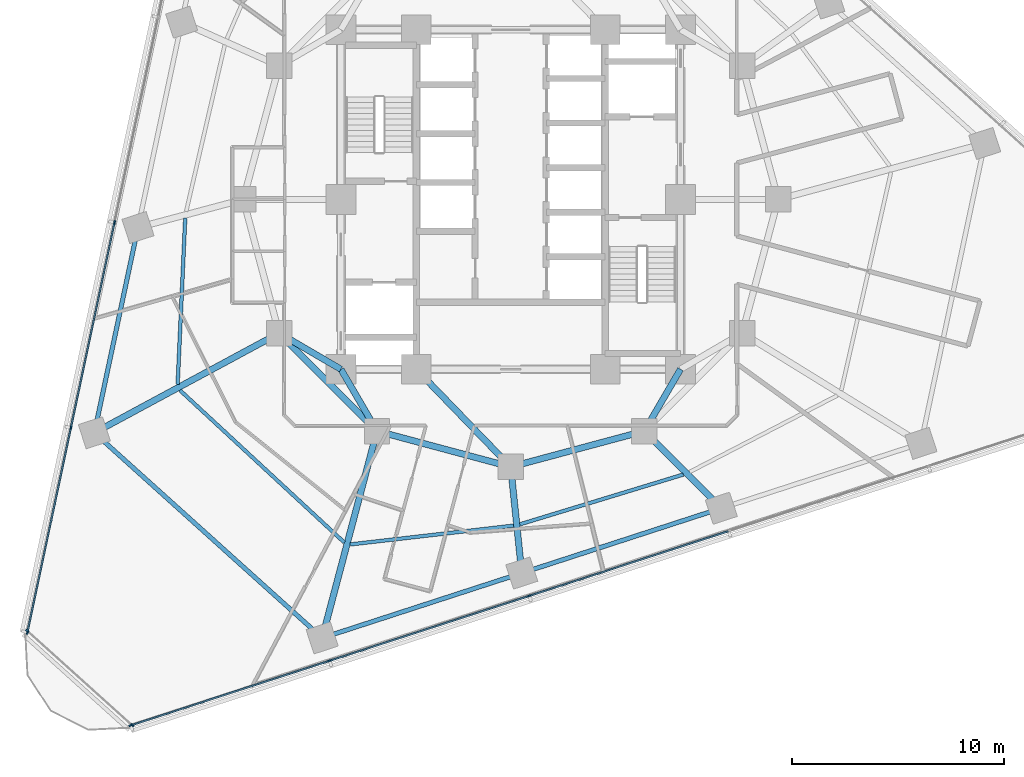
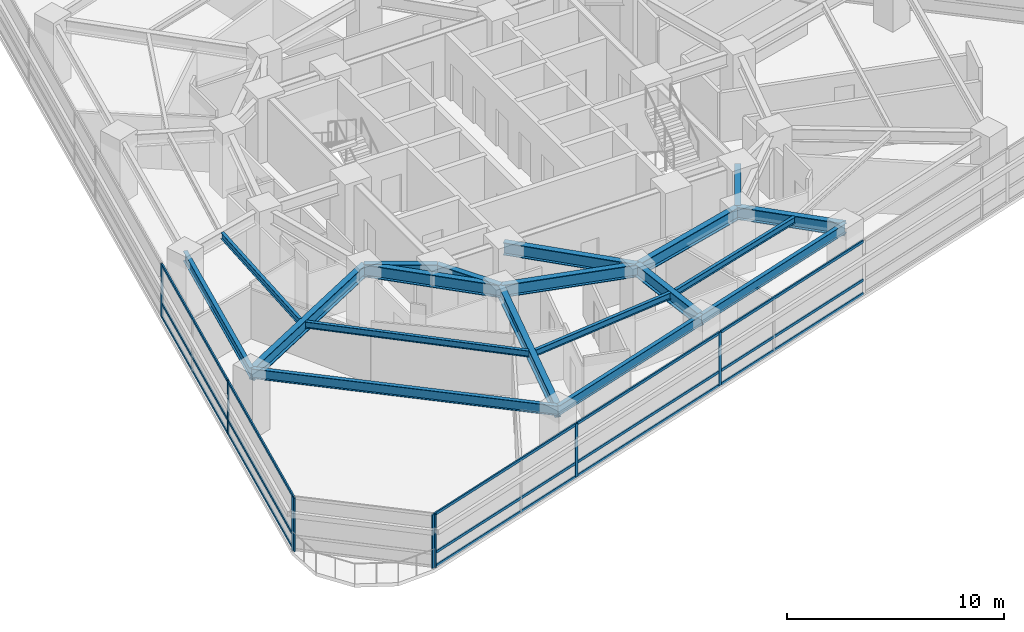
# One storey, part 2 of 13: 23 members, 19 beams, 3 elements without a shape of their own.
"""IFC4 building model written with IfcOpenShell, lengths in metres."""

from ifc_helpers import new_model, si_unit, direction, frame, origin, origin_2d, place, context, subcontext, project, spatial, rectangle, i_section, extrude, material, layer, layer_set, material_profile, profile_set, type_object, element, aggregate, save


model = new_model("IFC4")

# Units and contexts
model_context = context("Model", 3, precision=1e-05, world=origin(), true_north=direction((0.0, 1.0)))
body_context = subcontext(model_context, "Body", "Model", "MODEL_VIEW")
ifc_project = project(units=[si_unit("LENGTHUNIT", "METRE"), si_unit("AREAUNIT", "SQUARE_METRE"), si_unit("VOLUMEUNIT", "CUBIC_METRE"), si_unit("PLANEANGLEUNIT", "RADIAN"), si_unit("MASSUNIT", "GRAM", prefix="KILO")], contexts=[model_context])

# Site, building, storey
site_placement = place(None, origin())
site = spatial("IfcSite", under=ifc_project, at=site_placement, CompositionType="ELEMENT")
building_placement = place(site_placement, origin())
building = spatial("IfcBuilding", under=site, at=building_placement, Name="Terralouvre Media Tower", CompositionType="ELEMENT")
storey_placement = place(building_placement, frame((0.0, 0.0, 94.0)))
storey = spatial("IfcBuildingStorey", under=building, at=storey_placement, Name="L23", CompositionType="ELEMENT", Elevation=94.0)

# Beams
ifc_material_1 = material(Name="Structural steel S355J2", Category="steel")
ifc_material_profile_1 = material_profile(ifc_material_1, i_section(OverallWidth=0.169921875, OverallDepth=0.360107421875, WebThickness=0.008056640625, FlangeThickness=0.0126953125, at=origin_2d()), Name="IPE 360")
ifc_profile_set_1 = profile_set([ifc_material_profile_1], Name="Structural steel S355J2")
beam_type_1 = type_object("IfcBeamType", Name="Composite Floor Joist J-IPE360 (IPE 360)", PredefinedType="JOIST", material=ifc_profile_set_1)
beam_1_placement = place(storey_placement, frame((-15.33544921875, -0.882080078125, 3.320068359375), z_axis=(-0.045464200768, -0.998965968614, 0.0), x_axis=(0.998965968614, -0.045464200768, 0.0)))
element("IfcBeam", 1, at=beam_1_placement, inside=storey, type_object=beam_type_1, Name="L23 Framing Beam JT-L23-01", PredefinedType="JOIST", context=body_context, shape_type="SweptSolid", body=[
    extrude(i_section(OverallWidth=0.169921875, OverallDepth=0.360107421875, WebThickness=0.008056640625, FlangeThickness=0.0126953125, at=origin_2d()), origin(), (0.0, 0.0, 1.0), 7.834716796875),
])
beam_2_placement = place(storey_placement, frame((-15.584716796875, -8.988037109375, 3.320068359375), z_axis=(0.733637623699, -0.679540901707, 0.0), x_axis=(0.679540901707, 0.733637623699, 0.0)))
element("IfcBeam", 2, at=beam_2_placement, inside=storey, type_object=beam_type_1, Name="L23 Framing Beam JT-L23-02", PredefinedType="JOIST", context=body_context, shape_type="SweptSolid", body=[
    extrude(i_section(OverallWidth=0.169921875, OverallDepth=0.360107421875, WebThickness=0.008056640625, FlangeThickness=0.0126953125, at=origin_2d()), origin(), (0.0, 0.0, 1.0), 10.551513671875),
])
beam_3_placement = place(storey_placement, frame((-7.5625, -16.254150390625, 3.320068359375), z_axis=(0.993452319542, 0.114247489235, 0.0), x_axis=(-0.114247489235, 0.993452319542, 0.0)))
element("IfcBeam", 3, at=beam_3_placement, inside=storey, type_object=beam_type_1, Name="L23 Framing Beam JT-L23-03", PredefinedType="JOIST", context=body_context, shape_type="SweptSolid", body=[
    extrude(i_section(OverallWidth=0.169921875, OverallDepth=0.360107421875, WebThickness=0.008056640625, FlangeThickness=0.0126953125, at=origin_2d()), origin(), (0.0, 0.0, 1.0), 7.750732421875),
])
beam_4_placement = place(storey_placement, frame((0.430908203125, -15.307373046875, 3.320068359375), z_axis=(0.95657137257, 0.29149821471, 0.0), x_axis=(-0.29149821471, 0.95657137257, 0.0)))
element("IfcBeam", 4, at=beam_4_placement, inside=storey, type_object=beam_type_1, Name="L23 Framing Beam JT-L23-04", PredefinedType="JOIST", context=body_context, shape_type="SweptSolid", body=[
    extrude(i_section(OverallWidth=0.169921875, OverallDepth=0.360107421875, WebThickness=0.008056640625, FlangeThickness=0.0126953125, at=origin_2d()), origin(), (0.0, 0.0, 1.0), 8.052001953125),
])

# Curtain wall, members
ifc_material_2 = material(Name="Low-iron laminated double glazing with solar-control coating", Category="glass")
ifc_layer_1 = layer(ifc_material_2, 0.1650390625, Name="Lower Media Tower Unitised Curtain Wall CW-02")
ifc_layer_set_1 = layer_set([ifc_layer_1], Name="Low-iron laminated double glazing with solar-control coating")
curtain_wall_type_1 = type_object("IfcCurtainWallType", Name="Lower Media Tower Unitised Curtain Wall CW-02", PredefinedType="NOTDEFINED", material=ifc_layer_set_1)
curtain_wall_1_placement = place(storey_placement, origin())
curtain_wall_1 = element("IfcCurtainWall", 5, at=curtain_wall_1_placement, inside=storey, type_object=curtain_wall_type_1, Name="L23 Facade Curtain Wall F0", PredefinedType="NOTDEFINED")
ifc_material_3 = material(Name="Anodised extruded aluminium 6063-T6", Category="aluminium")
ifc_material_profile_2 = material_profile(ifc_material_3, rectangle(XDim=0.074951171875, YDim=0.14990234375, at=origin_2d()), Name="ALU 75x150")
ifc_profile_set_2 = profile_set([ifc_material_profile_2], Name="Anodised extruded aluminium 6063-T6")
member_type_1 = type_object("IfcMemberType", Name="Curtain-Wall Horizontal Transom TR-150", PredefinedType="USERDEFINED", material=ifc_profile_set_2)
member_1_placement = place(storey_placement, frame((-17.866455078125, -24.765380859375, 0.03759765625), z_axis=(0.951048750541, 0.309040893886, 0.0), x_axis=(-0.309040893886, 0.951048750541, 0.0)))
member_1 = element("IfcMember", 6, at=member_1_placement, type_object=member_type_1, Name="CW-02 transom 1.1", ObjectType="TRANSOM", PredefinedType="USERDEFINED", context=body_context, shape_type="SweptSolid", body=[
    extrude(rectangle(XDim=0.074951171875, YDim=0.14990234375, at=origin_2d()), origin(), (0.0, 0.0, 1.0), 9.775390625),
])
member_2_placement = place(storey_placement, frame((-17.866455078125, -24.765380859375, 0.800048828125), z_axis=(0.951048750541, 0.309040893886, 0.0), x_axis=(-0.309040893886, 0.951048750541, 0.0)))
member_2 = element("IfcMember", 7, at=member_2_placement, type_object=member_type_1, Name="CW-02 transom 1.2", ObjectType="TRANSOM", PredefinedType="USERDEFINED", context=body_context, shape_type="SweptSolid", body=[
    extrude(rectangle(XDim=0.074951171875, YDim=0.14990234375, at=origin_2d()), origin(), (0.0, 0.0, 1.0), 9.775390625),
])
member_3_placement = place(storey_placement, frame((-17.866455078125, -24.765380859375, 2.96240234375), z_axis=(0.951048750541, 0.309040893886, 0.0), x_axis=(-0.309040893886, 0.951048750541, 0.0)))
member_3 = element("IfcMember", 8, at=member_3_placement, type_object=member_type_1, Name="CW-02 transom 1.3", ObjectType="TRANSOM", PredefinedType="USERDEFINED", context=body_context, shape_type="SweptSolid", body=[
    extrude(rectangle(XDim=0.074951171875, YDim=0.14990234375, at=origin_2d()), origin(), (0.0, 0.0, 1.0), 9.775390625),
])
member_4_placement = place(storey_placement, frame((-8.498291015625, -21.72119140625, 0.03759765625), z_axis=(0.951061672682, 0.309001124198, 0.0), x_axis=(-0.309001124198, 0.951061672682, 0.0)))
member_4 = element("IfcMember", 9, at=member_4_placement, type_object=member_type_1, Name="CW-02 transom 2.1", ObjectType="TRANSOM", PredefinedType="USERDEFINED", context=body_context, shape_type="SweptSolid", body=[
    extrude(rectangle(XDim=0.074951171875, YDim=0.14990234375, at=origin_2d()), origin(), (0.0, 0.0, 1.0), 9.81298828125),
])
member_5_placement = place(storey_placement, frame((-8.498291015625, -21.72119140625, 0.800048828125), z_axis=(0.951061672682, 0.309001124198, 0.0), x_axis=(-0.309001124198, 0.951061672682, 0.0)))
member_5 = element("IfcMember", 10, at=member_5_placement, type_object=member_type_1, Name="CW-02 transom 2.2", ObjectType="TRANSOM", PredefinedType="USERDEFINED", context=body_context, shape_type="SweptSolid", body=[
    extrude(rectangle(XDim=0.074951171875, YDim=0.14990234375, at=origin_2d()), origin(), (0.0, 0.0, 1.0), 9.81298828125),
])
member_6_placement = place(storey_placement, frame((-8.498291015625, -21.72119140625, 2.96240234375), z_axis=(0.951061672682, 0.309001124198, 0.0), x_axis=(-0.309001124198, 0.951061672682, 0.0)))
member_6 = element("IfcMember", 11, at=member_6_placement, type_object=member_type_1, Name="CW-02 transom 2.3", ObjectType="TRANSOM", PredefinedType="USERDEFINED", context=body_context, shape_type="SweptSolid", body=[
    extrude(rectangle(XDim=0.074951171875, YDim=0.14990234375, at=origin_2d()), origin(), (0.0, 0.0, 1.0), 9.81298828125),
])
member_7_placement = place(storey_placement, frame((0.90576171875, -18.665771484375, 0.03759765625), z_axis=(0.95105436096, 0.309023627736, 0.0), x_axis=(-0.309023627736, 0.95105436096, 0.0)))
member_7 = element("IfcMember", 12, at=member_7_placement, type_object=member_type_1, Name="CW-02 transom 3.1", ObjectType="TRANSOM", PredefinedType="USERDEFINED", context=body_context, shape_type="SweptSolid", body=[
    extrude(rectangle(XDim=0.074951171875, YDim=0.14990234375, at=origin_2d()), origin(), (0.0, 0.0, 1.0), 9.81298828125),
])
member_8_placement = place(storey_placement, frame((0.90576171875, -18.665771484375, 0.800048828125), z_axis=(0.95105436096, 0.309023627736, 0.0), x_axis=(-0.309023627736, 0.95105436096, 0.0)))
member_8 = element("IfcMember", 13, at=member_8_placement, type_object=member_type_1, Name="CW-02 transom 3.2", ObjectType="TRANSOM", PredefinedType="USERDEFINED", context=body_context, shape_type="SweptSolid", body=[
    extrude(rectangle(XDim=0.074951171875, YDim=0.14990234375, at=origin_2d()), origin(), (0.0, 0.0, 1.0), 9.81298828125),
])
member_9_placement = place(storey_placement, frame((0.90576171875, -18.665771484375, 2.96240234375), z_axis=(0.95105436096, 0.309023627736, 0.0), x_axis=(-0.309023627736, 0.95105436096, 0.0)))
member_9 = element("IfcMember", 14, at=member_9_placement, type_object=member_type_1, Name="CW-02 transom 3.3", ObjectType="TRANSOM", PredefinedType="USERDEFINED", context=body_context, shape_type="SweptSolid", body=[
    extrude(rectangle(XDim=0.074951171875, YDim=0.14990234375, at=origin_2d()), origin(), (0.0, 0.0, 1.0), 9.81298828125),
])

curtain_wall_2_placement = place(storey_placement, origin())
curtain_wall_2 = element("IfcCurtainWall", 15, at=curtain_wall_2_placement, inside=storey, type_object=curtain_wall_type_1, Name="L23 Facade Curtain Wall F2", PredefinedType="NOTDEFINED")
member_10_placement = place(storey_placement, frame((-18.673828125, -1.12353515625, 0.03759765625), z_axis=(-0.207914695346, -0.978146962097, 0.0), x_axis=(0.978146962097, -0.207914695346, 0.0)))
member_10 = element("IfcMember", 16, at=member_10_placement, type_object=member_type_1, Name="CW-02 transom 4.1", ObjectType="TRANSOM", PredefinedType="USERDEFINED", context=body_context, shape_type="SweptSolid", body=[
    extrude(rectangle(XDim=0.074951171875, YDim=0.14990234375, at=origin_2d()), origin(), (0.0, 0.0, 1.0), 9.81298828125),
])
member_11_placement = place(storey_placement, frame((-18.673828125, -1.12353515625, 0.800048828125), z_axis=(-0.207914695346, -0.978146962097, 0.0), x_axis=(0.978146962097, -0.207914695346, 0.0)))
member_11 = element("IfcMember", 17, at=member_11_placement, type_object=member_type_1, Name="CW-02 transom 4.2", ObjectType="TRANSOM", PredefinedType="USERDEFINED", context=body_context, shape_type="SweptSolid", body=[
    extrude(rectangle(XDim=0.074951171875, YDim=0.14990234375, at=origin_2d()), origin(), (0.0, 0.0, 1.0), 9.81298828125),
])
member_12_placement = place(storey_placement, frame((-18.673828125, -1.12353515625, 2.96240234375), z_axis=(-0.207914695346, -0.978146962097, 0.0), x_axis=(0.978146962097, -0.207914695346, 0.0)))
member_12 = element("IfcMember", 18, at=member_12_placement, type_object=member_type_1, Name="CW-02 transom 4.3", ObjectType="TRANSOM", PredefinedType="USERDEFINED", context=body_context, shape_type="SweptSolid", body=[
    extrude(rectangle(XDim=0.074951171875, YDim=0.14990234375, at=origin_2d()), origin(), (0.0, 0.0, 1.0), 9.81298828125),
])
member_13_placement = place(storey_placement, frame((-20.7294921875, -10.79541015625, 0.03759765625), z_axis=(-0.207911922732, -0.978147551439, 0.0), x_axis=(0.978147551439, -0.207911922732, 0.0)))
member_13 = element("IfcMember", 19, at=member_13_placement, type_object=member_type_1, Name="CW-02 transom 5.1", ObjectType="TRANSOM", PredefinedType="USERDEFINED", context=body_context, shape_type="SweptSolid", body=[
    extrude(rectangle(XDim=0.074951171875, YDim=0.14990234375, at=origin_2d()), origin(), (0.0, 0.0, 1.0), 9.775634765625),
])
member_14_placement = place(storey_placement, frame((-20.7294921875, -10.79541015625, 0.800048828125), z_axis=(-0.207911922732, -0.978147551439, 0.0), x_axis=(0.978147551439, -0.207911922732, 0.0)))
member_14 = element("IfcMember", 20, at=member_14_placement, type_object=member_type_1, Name="CW-02 transom 5.2", ObjectType="TRANSOM", PredefinedType="USERDEFINED", context=body_context, shape_type="SweptSolid", body=[
    extrude(rectangle(XDim=0.074951171875, YDim=0.14990234375, at=origin_2d()), origin(), (0.0, 0.0, 1.0), 9.775634765625),
])
member_15_placement = place(storey_placement, frame((-20.7294921875, -10.79541015625, 2.96240234375), z_axis=(-0.207911922732, -0.978147551439, 0.0), x_axis=(0.978147551439, -0.207911922732, 0.0)))
member_15 = element("IfcMember", 21, at=member_15_placement, type_object=member_type_1, Name="CW-02 transom 5.3", ObjectType="TRANSOM", PredefinedType="USERDEFINED", context=body_context, shape_type="SweptSolid", body=[
    extrude(rectangle(XDim=0.074951171875, YDim=0.14990234375, at=origin_2d()), origin(), (0.0, 0.0, 1.0), 9.775634765625),
])

# Member
ifc_material_4 = material(Name="Anodised extruded aluminium 6063-T6", Category="aluminium")
ifc_material_profile_3 = material_profile(ifc_material_4, rectangle(XDim=0.074951171875, YDim=0.179931640625, at=origin_2d()), Name="ALU 75x180")
ifc_profile_set_3 = profile_set([ifc_material_profile_3], Name="Anodised extruded aluminium 6063-T6")
member_type_2 = type_object("IfcMemberType", Name="Curtain-Wall Vertical Mullion ML-180", PredefinedType="MULLION", material=ifc_profile_set_3)
member_16_placement = place(storey_placement, frame((-17.90234375, -24.77685546875, 0.0), z_axis=(0.0, 0.0, 1.0), x_axis=(-0.309017015439, 0.951056509451, 0.0)))
member_16 = element("IfcMember", 22, at=member_16_placement, type_object=member_type_2, Name="CW-02 mullion 1", PredefinedType="MULLION", context=body_context, shape_type="SweptSolid", body=[
    extrude(rectangle(XDim=0.074951171875, YDim=0.179931640625, at=origin_2d()), origin(), (0.0, 0.0, 1.0), 3.0),
])

member_17_placement = place(storey_placement, frame((-8.533935546875, -21.73291015625, 0.0), z_axis=(0.0, 0.0, 1.0), x_axis=(-0.309017015439, 0.951056509451, 0.0)))
member_17 = element("IfcMember", 23, at=member_17_placement, type_object=member_type_2, Name="CW-02 mullion 2", PredefinedType="MULLION", context=body_context, shape_type="SweptSolid", body=[
    extrude(rectangle(XDim=0.074951171875, YDim=0.179931640625, at=origin_2d()), origin(), (0.0, 0.0, 1.0), 3.0),
])

member_18_placement = place(storey_placement, frame((0.8701171875, -18.67724609375, 0.0), z_axis=(0.0, 0.0, 1.0), x_axis=(-0.309017015439, 0.951056509451, 0.0)))
member_18 = element("IfcMember", 24, at=member_18_placement, type_object=member_type_2, Name="CW-02 mullion 3", PredefinedType="MULLION", context=body_context, shape_type="SweptSolid", body=[
    extrude(rectangle(XDim=0.074951171875, YDim=0.179931640625, at=origin_2d()), origin(), (0.0, 0.0, 1.0), 3.0),
])

aggregate(curtain_wall_1, [member_16, member_17, member_18, member_1, member_2, member_3, member_4, member_5, member_6, member_7, member_8, member_9])

member_19_placement = place(storey_placement, frame((-18.666015625, -1.0869140625, 0.0), z_axis=(0.0, 0.0, 1.0), x_axis=(0.978147610709, -0.207911643887, 0.0)))
member_19 = element("IfcMember", 25, at=member_19_placement, type_object=member_type_2, Name="CW-02 mullion 4", PredefinedType="MULLION", context=body_context, shape_type="SweptSolid", body=[
    extrude(rectangle(XDim=0.074951171875, YDim=0.179931640625, at=origin_2d()), origin(), (0.0, 0.0, 1.0), 3.0),
])

member_20_placement = place(storey_placement, frame((-20.7216796875, -10.7587890625, 0.0), z_axis=(0.0, 0.0, 1.0), x_axis=(0.978147610709, -0.207911643887, 0.0)))
member_20 = element("IfcMember", 26, at=member_20_placement, type_object=member_type_2, Name="CW-02 mullion 5", PredefinedType="MULLION", context=body_context, shape_type="SweptSolid", body=[
    extrude(rectangle(XDim=0.074951171875, YDim=0.179931640625, at=origin_2d()), origin(), (0.0, 0.0, 1.0), 3.0),
])

member_21_placement = place(storey_placement, frame((-22.769775390625, -20.39404296875, 0.0), z_axis=(0.0, 0.0, 1.0), x_axis=(0.978147610709, -0.207911643887, 0.0)))
member_21 = element("IfcMember", 27, at=member_21_placement, type_object=member_type_2, Name="CW-02 mullion 6", PredefinedType="MULLION", context=body_context, shape_type="SweptSolid", body=[
    extrude(rectangle(XDim=0.074951171875, YDim=0.179931640625, at=origin_2d()), origin(), (0.0, 0.0, 1.0), 3.0),
])

aggregate(curtain_wall_2, [member_19, member_20, member_21, member_10, member_11, member_12, member_13, member_14, member_15])

# Curtain wall, members
ifc_material_5 = material(Name="Low-iron laminated double glazing with solar-control coating", Category="glass")
ifc_layer_2 = layer(ifc_material_5, 0.1650390625, Name="Rounded Wind-Corner Curved Glazing CW-04")
ifc_layer_set_2 = layer_set([ifc_layer_2], Name="Low-iron laminated double glazing with solar-control coating")
curtain_wall_type_2 = type_object("IfcCurtainWallType", Name="Rounded Wind-Corner Curved Glazing CW-04", PredefinedType="NOTDEFINED", material=ifc_layer_set_2)
curtain_wall_3_placement = place(storey_placement, origin())
curtain_wall_3 = element("IfcCurtainWall", 28, at=curtain_wall_3_placement, inside=storey, type_object=curtain_wall_type_2, Name="L23 Rounded Wind-Corner Curtain Wall C0", PredefinedType="NOTDEFINED")
member_22_placement = place(storey_placement, frame((-22.7734375, -20.326904296875, 0.0), z_axis=(0.0, 0.0, 1.0), x_axis=(0.669130780732, 0.743144668471, 0.0)))
member_22 = element("IfcMember", 29, at=member_22_placement, type_object=member_type_2, Name="CW-04 mullion 1", PredefinedType="MULLION", context=body_context, shape_type="SweptSolid", body=[
    extrude(rectangle(XDim=0.074951171875, YDim=0.179931640625, at=origin_2d()), origin(), (0.0, 0.0, 1.0), 3.0),
])
member_23_placement = place(storey_placement, frame((-17.8349609375, -24.7734375, 0.0), z_axis=(0.0, 0.0, 1.0), x_axis=(0.669130780732, 0.743144668471, 0.0)))
member_23 = element("IfcMember", 30, at=member_23_placement, type_object=member_type_2, Name="CW-04 mullion 2", PredefinedType="MULLION", context=body_context, shape_type="SweptSolid", body=[
    extrude(rectangle(XDim=0.074951171875, YDim=0.179931640625, at=origin_2d()), origin(), (0.0, 0.0, 1.0), 3.0),
])
aggregate(curtain_wall_3, [member_22, member_23])

# Beams
ifc_material_6 = material(Name="Structural steel S355J2", Category="steel")
ifc_material_profile_4 = material_profile(ifc_material_6, i_section(OverallWidth=0.2099609375, OverallDepth=0.550048828125, WebThickness=0.010986328125, FlangeThickness=0.01708984375, at=origin_2d()), Name="IPE 550")
ifc_profile_set_4 = profile_set([ifc_material_profile_4], Name="Structural steel S355J2")
beam_type_2 = type_object("IfcBeamType", Name="Perimeter Spandrel Beam SPB-550 (IPE 550)", PredefinedType="SPANDREL", material=ifc_profile_set_4)
beam_5_placement = place(storey_placement, frame((-17.560791015625, -1.32177734375, 3.22509765625), z_axis=(-0.207896554112, -0.978150818017, 0.0), x_axis=(0.978150818017, -0.207896554112, 0.0)))
element("IfcBeam", 31, at=beam_5_placement, inside=storey, type_object=beam_type_2, Name="L23 Framing Beam BM-L23-PR01", PredefinedType="SPANDREL", context=body_context, shape_type="SweptSolid", body=[
    extrude(i_section(OverallWidth=0.2099609375, OverallDepth=0.550048828125, WebThickness=0.010986328125, FlangeThickness=0.01708984375, at=origin_2d()), origin(), (0.0, 0.0, 1.0), 9.887939453125),
])
beam_6_placement = place(storey_placement, frame((-19.616455078125, -10.99365234375, 3.22509765625), z_axis=(0.743139474617, -0.669136549044, 0.0), x_axis=(0.669136549044, 0.743139474617, 0.0)))
element("IfcBeam", 32, at=beam_6_placement, inside=storey, type_object=beam_type_2, Name="L23 Framing Beam BM-L23-PR02", PredefinedType="SPANDREL", context=body_context, shape_type="SweptSolid", body=[
    extrude(i_section(OverallWidth=0.2099609375, OverallDepth=0.550048828125, WebThickness=0.010986328125, FlangeThickness=0.01708984375, at=origin_2d()), origin(), (0.0, 0.0, 1.0), 14.443359375),
])
for number, where, z_axis, x_axis, name in (
    (33, (-8.883056640625, -20.658203125, 3.22509765625), (0.95105348149, 0.309026334389, 0.0), (-0.309026334389, 0.95105348149, 0.0), "L23 Framing Beam BM-L23-PR03"),
    (34, (0.52099609375, -17.6025390625, 3.22509765625), (0.951060737836, 0.309004001506, 0.0), (-0.309004001506, 0.951060737836, 0.0), "L23 Framing Beam BM-L23-PR04"),
):
    element("IfcBeam", number, at=place(storey_placement, frame(where, z_axis=z_axis, x_axis=x_axis)), inside=storey, type_object=beam_type_2, Name=name, PredefinedType="SPANDREL", context=body_context, shape_type="SweptSolid", body=[
        extrude(i_section(OverallWidth=0.2099609375, OverallDepth=0.550048828125, WebThickness=0.010986328125, FlangeThickness=0.01708984375, at=origin_2d()), origin(), (0.0, 0.0, 1.0), 9.887939453125),
    ])
ifc_material_7 = material(Name="Structural steel S460M", Category="steel")
ifc_material_profile_5 = material_profile(ifc_material_7, i_section(OverallWidth=0.300048828125, OverallDepth=0.699951171875, WebThickness=0.01708984375, FlangeThickness=0.031982421875, at=origin_2d()), Name="HEB 700")
ifc_profile_set_5 = profile_set([ifc_material_profile_5], Name="Structural steel S460M")
beam_type_3 = type_object("IfcBeamType", Name="Primary Floor Girder B-HEB700 (HEB 700)", PredefinedType="BEAM", material=ifc_profile_set_5)
beam_7_placement = place(storey_placement, frame((-10.911865234375, -6.300048828125, 3.14990234375), z_axis=(0.707106781187, -0.707106781187, 0.0), x_axis=(0.707106781187, 0.707106781187, 0.0)))
element("IfcBeam", 35, at=beam_7_placement, inside=storey, type_object=beam_type_3, Name="L23 Framing Beam BM-L23-MR01", PredefinedType="BEAM", context=body_context, shape_type="SweptSolid", body=[
    extrude(i_section(OverallWidth=0.300048828125, OverallDepth=0.699951171875, WebThickness=0.01708984375, FlangeThickness=0.031982421875, at=origin_2d()), origin(), (0.0, 0.0, 1.0), 6.52197265625),
])
for number, where, z_axis, x_axis, name in (
    (36, (-6.300048828125, -10.911865234375, 3.14990234375), (0.965920481897, -0.258838989821, 0.0), (0.258838989821, 0.965920481897, 0.0), "L23 Framing Beam BM-L23-MR02"),
    (37, (0.0, -12.60009765625, 3.14990234375), (0.965920481897, 0.258838989821, 0.0), (-0.258838989821, 0.965920481897, 0.0), "L23 Framing Beam BM-L23-MR03"),
):
    element("IfcBeam", number, at=place(storey_placement, frame(where, z_axis=z_axis, x_axis=x_axis)), inside=storey, type_object=beam_type_3, Name=name, PredefinedType="BEAM", context=body_context, shape_type="SweptSolid", body=[
        extrude(i_section(OverallWidth=0.300048828125, OverallDepth=0.699951171875, WebThickness=0.01708984375, FlangeThickness=0.031982421875, at=origin_2d()), origin(), (0.0, 0.0, 1.0), 6.522216796875),
    ])
for number, where, z_axis, x_axis, name in (
    (38, (-8.0, -8.0, 3.14990234375), (-0.863602894532, 0.504172629717, 0.0), (-0.504172629717, -0.863602894532, 0.0), "L23 Framing Beam BM-L23-CM01"),
    (39, (-8.0, -8.0, 3.14990234375), (0.504172629717, -0.863602894532, 0.0), (0.863602894532, 0.504172629717, 0.0), "L23 Framing Beam BM-L23-CM02"),
):
    element("IfcBeam", number, at=place(storey_placement, frame(where, z_axis=z_axis, x_axis=x_axis)), inside=storey, type_object=beam_type_3, Name=name, PredefinedType="BEAM", context=body_context, shape_type="SweptSolid", body=[
        extrude(i_section(OverallWidth=0.300048828125, OverallDepth=0.699951171875, WebThickness=0.01708984375, FlangeThickness=0.031982421875, at=origin_2d()), origin(), (0.0, 0.0, 1.0), 3.371826171875),
    ])
beam_8_placement = place(storey_placement, frame((-4.449951171875, -8.0, 3.14990234375), z_axis=(0.695279715726, -0.718739255155, 0.0), x_axis=(0.718739255155, 0.695279715726, 0.0)))
element("IfcBeam", 40, at=beam_8_placement, inside=storey, type_object=beam_type_3, Name="L23 Framing Beam BM-L23-CM03", PredefinedType="BEAM", context=body_context, shape_type="SweptSolid", body=[
    extrude(i_section(OverallWidth=0.300048828125, OverallDepth=0.699951171875, WebThickness=0.01708984375, FlangeThickness=0.031982421875, at=origin_2d()), origin(), (0.0, 0.0, 1.0), 6.400146484375),
])
beam_9_placement = place(storey_placement, frame((8.0, -8.0, 3.14990234375), z_axis=(-0.504172629717, -0.863602894532, 0.0), x_axis=(0.863602894532, -0.504172629717, 0.0)))
element("IfcBeam", 41, at=beam_9_placement, inside=storey, type_object=beam_type_3, Name="L23 Framing Beam BM-L23-CM04", PredefinedType="BEAM", context=body_context, shape_type="SweptSolid", body=[
    extrude(i_section(OverallWidth=0.300048828125, OverallDepth=0.699951171875, WebThickness=0.01708984375, FlangeThickness=0.031982421875, at=origin_2d()), origin(), (0.0, 0.0, 1.0), 3.371826171875),
])
beam_10_placement = place(storey_placement, frame((-10.911865234375, -6.300048828125, 3.14990234375), z_axis=(-0.880195882447, -0.47461058619, 0.0), x_axis=(0.47461058619, -0.880195882447, 0.0)))
element("IfcBeam", 42, at=beam_10_placement, inside=storey, type_object=beam_type_3, Name="L23 Framing Beam BM-L23-RD02", PredefinedType="BEAM", context=body_context, shape_type="SweptSolid", body=[
    extrude(i_section(OverallWidth=0.300048828125, OverallDepth=0.699951171875, WebThickness=0.01708984375, FlangeThickness=0.031982421875, at=origin_2d()), origin(), (0.0, 0.0, 1.0), 9.889404296875),
])
beam_11_placement = place(storey_placement, frame((-6.300048828125, -10.911865234375, 3.14990234375), z_axis=(-0.25617939255, -0.966629256144, 0.0), x_axis=(0.966629256144, -0.25617939255, 0.0)))
element("IfcBeam", 43, at=beam_11_placement, inside=storey, type_object=beam_type_3, Name="L23 Framing Beam BM-L23-RD03", PredefinedType="BEAM", context=body_context, shape_type="SweptSolid", body=[
    extrude(i_section(OverallWidth=0.300048828125, OverallDepth=0.699951171875, WebThickness=0.01708984375, FlangeThickness=0.031982421875, at=origin_2d()), origin(), (0.0, 0.0, 1.0), 10.082763671875),
])
beam_12_placement = place(storey_placement, frame((0.0, -12.60009765625, 3.14990234375), z_axis=(0.103588076486, -0.994620284536, 0.0), x_axis=(0.994620284536, 0.103588076486, 0.0)))
element("IfcBeam", 44, at=beam_12_placement, inside=storey, type_object=beam_type_3, Name="L23 Framing Beam BM-L23-RD04", PredefinedType="BEAM", context=body_context, shape_type="SweptSolid", body=[
    extrude(i_section(OverallWidth=0.300048828125, OverallDepth=0.699951171875, WebThickness=0.01708984375, FlangeThickness=0.031982421875, at=origin_2d()), origin(), (0.0, 0.0, 1.0), 5.029541015625),
])
beam_13_placement = place(storey_placement, frame((6.300048828125, -10.911865234375, 3.14990234375), z_axis=(0.706107405732, -0.708104746185, 0.0), x_axis=(0.708104746185, 0.706107405732, 0.0)))
element("IfcBeam", 45, at=beam_13_placement, inside=storey, type_object=beam_type_3, Name="L23 Framing Beam BM-L23-RD05", PredefinedType="BEAM", context=body_context, shape_type="SweptSolid", body=[
    extrude(i_section(OverallWidth=0.300048828125, OverallDepth=0.699951171875, WebThickness=0.01708984375, FlangeThickness=0.031982421875, at=origin_2d()), origin(), (0.0, 0.0, 1.0), 5.1337890625),
])

save(model, "model.ifc")
